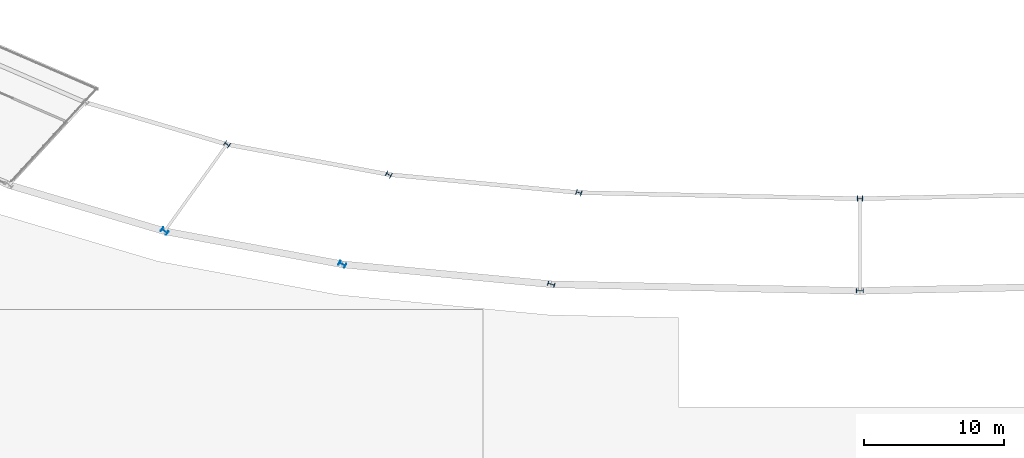
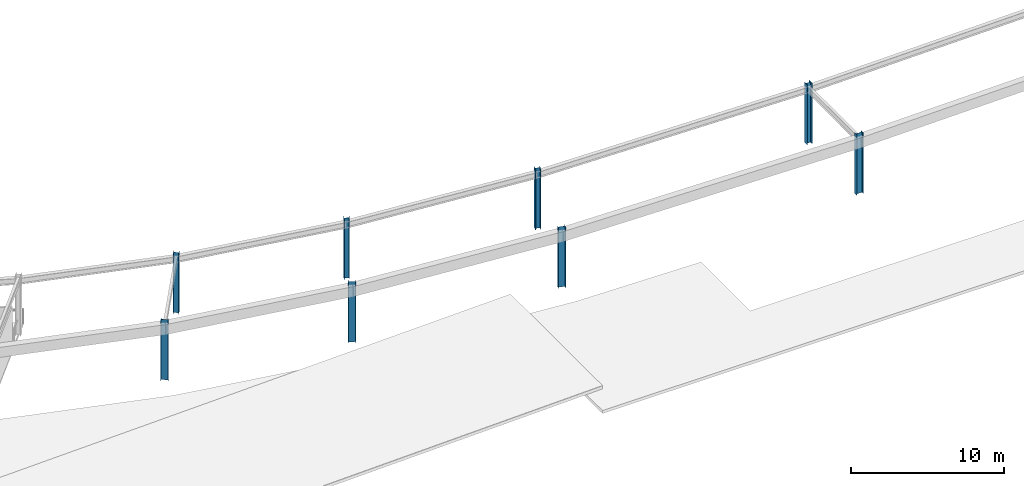
# One storey, part 3 of 45: 8 columns.
"""IFC4 building model written with IfcOpenShell, lengths in metres."""

from ifc_helpers import new_model, si_unit, direction, frame, origin, origin_2d, place, context, subcontext, project, spatial, i_section, extrude, material, material_profile, profile_set, type_object, element, save


model = new_model("IFC4")

# Units and contexts
model_context = context("Model", 3, precision=1e-05, world=origin(), true_north=direction((0.0, 1.0)))
body_context = subcontext(model_context, "Body", "Model", "MODEL_VIEW")
ifc_project = project(units=[si_unit("LENGTHUNIT", "METRE"), si_unit("AREAUNIT", "SQUARE_METRE"), si_unit("VOLUMEUNIT", "CUBIC_METRE"), si_unit("PLANEANGLEUNIT", "RADIAN"), si_unit("MASSUNIT", "GRAM", prefix="KILO")], contexts=[model_context])

# Site, building, storey
site_placement = place(None, origin())
site = spatial("IfcSite", under=ifc_project, at=site_placement, CompositionType="ELEMENT")
building_placement = place(site_placement, origin())
building = spatial("IfcBuilding", under=site, at=building_placement, Name="Mphavela Belvedere Stadium", CompositionType="ELEMENT")
storey_placement = place(building_placement, frame((0.0, 0.0, 24.0)))
storey = spatial("IfcBuildingStorey", under=building, at=storey_placement, Name="L05", CompositionType="ELEMENT", Elevation=24.0)

# Columns
ifc_material_1 = material(Name="Steel S355", Category="steel")
ifc_material_profile_1 = material_profile(ifc_material_1, i_section(OverallWidth=0.39501953125, OverallDepth=0.3798828125, WebThickness=0.0166015625, FlangeThickness=0.02587890625, at=origin_2d()), Name="HD 400x237")
ifc_profile_set_1 = profile_set([ifc_material_profile_1], Name="Steel S355")
column_type_1 = type_object("IfcColumnType", Name="COL-STEEL-HD400", PredefinedType="COLUMN", material=ifc_profile_set_1)
for number, where, z_axis, x_axis, name in (
    (1, (69.662109375, 23.822509765625, 0.0), (0.0, 0.0, 1.0), (-0.582974127943, -0.812490717577, 0.0), "Main bowl column L05 R3-34"),
    (2, (81.249755859375, 21.66455078125, 0.0), (0.0, 0.0, 1.0), (-0.458959712465, -0.888457079624, 0.0), "Main bowl column L05 R3-35"),
    (3, (94.8671875, 20.365966796875, 0.0), (0.0, 0.0, 1.0), (-0.289198876314, -0.957269037387, 0.0), "Main bowl column L05 R3-36"),
    (4, (115.0, 19.9326171875, 0.0), (0.0, 0.0, 1.0), (0.0, -1.0, 0.0), "Main bowl column L05 R3-37"),
):
    element("IfcColumn", number, at=place(storey_placement, frame(where, z_axis=z_axis, x_axis=x_axis)), inside=storey, type_object=column_type_1, Name=name, PredefinedType="COLUMN", context=body_context, shape_type="SweptSolid", body=[
        extrude(i_section(OverallWidth=0.39501953125, OverallDepth=0.3798828125, WebThickness=0.0166015625, FlangeThickness=0.02587890625, at=origin_2d()), origin(), (0.0, 0.0, 1.0), 4.800048828125),
    ])
ifc_material_2 = material(Name="Steel S355", Category="steel")
ifc_material_profile_2 = material_profile(ifc_material_2, i_section(OverallWidth=0.300048828125, OverallDepth=0.5, WebThickness=0.014404296875, FlangeThickness=0.028076171875, at=origin_2d()), Name="HEB 500")
ifc_profile_set_2 = profile_set([ifc_material_profile_2], Name="Steel S355")
column_type_2 = type_object("IfcColumnType", Name="COL-STEEL-HEB500", PredefinedType="COLUMN", material=ifc_profile_set_2)
for number, where, z_axis, x_axis, name in (
    (5, (65.19873046875, 17.60302734375, 0.0), (0.0, 0.0, 1.0), (-0.582974127943, -0.812490717577, 0.0), "Outer colonnade column L05 R4-34"),
    (6, (77.92724609375, 15.232666015625, 0.0), (0.0, 0.0, 1.0), (-0.458959712465, -0.888457079624, 0.0), "Outer colonnade column L05 R4-35"),
    (7, (92.885498046875, 13.80615234375, 0.0), (0.0, 0.0, 1.0), (-0.289198876314, -0.957269037387, 0.0), "Outer colonnade column L05 R4-36"),
    (8, (115.0, 13.330078125, 0.0), (0.0, 0.0, 1.0), (0.0, -1.0, 0.0), "Outer colonnade column L05 R4-37"),
):
    element("IfcColumn", number, at=place(storey_placement, frame(where, z_axis=z_axis, x_axis=x_axis)), inside=storey, type_object=column_type_2, Name=name, PredefinedType="COLUMN", context=body_context, shape_type="SweptSolid", body=[
        extrude(i_section(OverallWidth=0.300048828125, OverallDepth=0.5, WebThickness=0.014404296875, FlangeThickness=0.028076171875, at=origin_2d()), origin(), (0.0, 0.0, 1.0), 4.800048828125),
    ])

save(model, "model.ifc")
